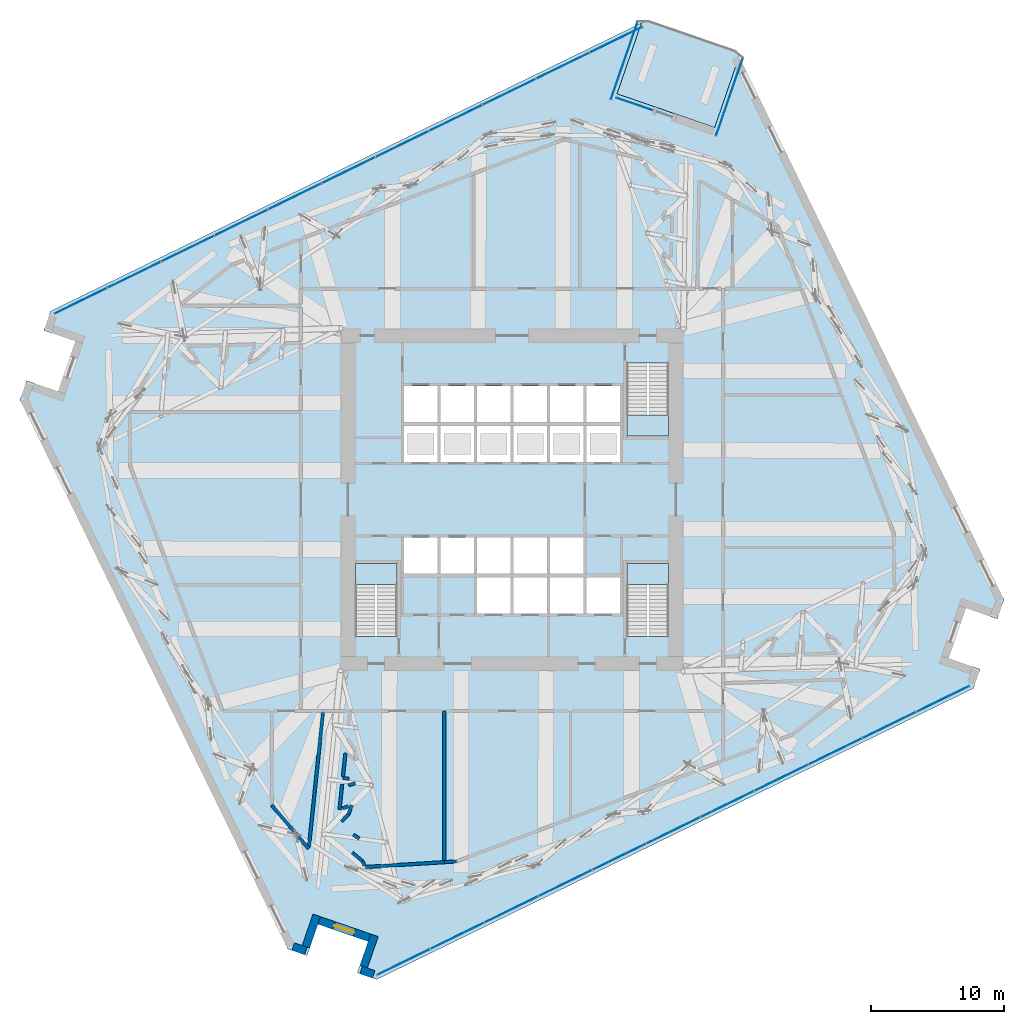
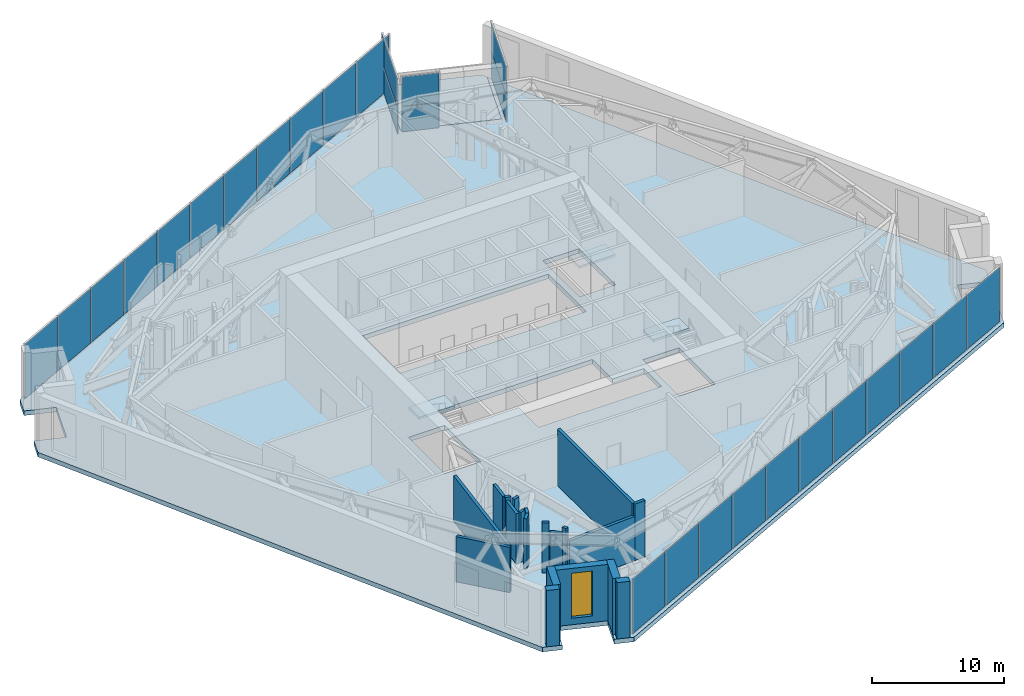
# One storey, part 9 of 21: 28 plates, 20 walls, 5 slabs, 1 window, 1 opening, 8 elements without a shape of their own.
"""IFC4 building model written with IfcOpenShell, lengths in metres."""

from ifc_helpers import new_model, si_unit, direction, frame, frame_2d, origin, origin_2d, place, context, subcontext, project, spatial, polyline, rectangle, outline, extrude, material, layer, layer_set, type_object, element, fill, aggregate, save


model = new_model("IFC4")

# Units and contexts
model_context = context("Model", 3, precision=1e-05, world=origin(), true_north=direction((0.0, 1.0)))
body_context = subcontext(model_context, "Body", "Model", "MODEL_VIEW")
ifc_project = project(units=[si_unit("LENGTHUNIT", "METRE"), si_unit("AREAUNIT", "SQUARE_METRE"), si_unit("VOLUMEUNIT", "CUBIC_METRE"), si_unit("PLANEANGLEUNIT", "RADIAN"), si_unit("MASSUNIT", "GRAM", prefix="KILO")], contexts=[model_context])

# Site, building, storey
site_placement = place(None, origin())
site = spatial("IfcSite", under=ifc_project, at=site_placement, CompositionType="ELEMENT")
building_placement = place(site_placement, origin())
building = spatial("IfcBuilding", under=site, at=building_placement, Name="Dilmun Exchange Tower", CompositionType="ELEMENT")
storey_placement = place(building_placement, frame((0.0, 0.0, 130.10009765625)))
storey = spatial("IfcBuildingStorey", under=building, at=storey_placement, Name="L30", CompositionType="ELEMENT", Elevation=130.10009765625)

# Stair, slab
ifc_material_1 = material(Name="Concrete C40/50", Category="concrete")
stair_type = type_object("IfcStairType", Name="Exit stair 1500 half-turn", PredefinedType="HALF_TURN_STAIR", material=ifc_material_1)
stair_1_placement = place(storey_placement, origin())
stair_1 = element("IfcStair", 1, at=stair_1_placement, inside=storey, type_object=stair_type, Name="L30 Protected exit stair ST1", PredefinedType="HALF_TURN_STAIR")
ifc_layer_1 = layer(ifc_material_1, 0.199951171875)
ifc_layer_set_1 = layer_set([ifc_layer_1], Name="Concrete C40/50")
slab_type_1 = type_object("IfcSlabType", Name="Exit stair landing 200", PredefinedType="LANDING", material=ifc_layer_set_1)
slab_1_placement = place(storey_placement, frame((0.0, 0.0, 2.599853515625)))
slab_1 = element("IfcSlab", 2, at=slab_1_placement, type_object=slab_type_1, Name="ST1 landing 1", PredefinedType="LANDING", context=body_context, shape_type="SweptSolid", body=[
    extrude(outline(polyline([(8.64990234375, 6.3798828125), (8.64990234375, 4.800048828125), (11.800048828125, 4.800048828125), (11.800048828125, 6.3798828125), (8.64990234375, 6.3798828125)])), origin(), (0.0, 0.0, 1.0), 0.199951171875),
])
aggregate(stair_1, [slab_1])

stair_2_placement = place(storey_placement, origin())
stair_2 = element("IfcStair", 3, at=stair_2_placement, inside=storey, type_object=stair_type, Name="L30 Protected exit stair ST2", PredefinedType="HALF_TURN_STAIR")
slab_2_placement = place(storey_placement, frame((0.0, 0.0, 2.599853515625)))
slab_2 = element("IfcSlab", 4, at=slab_2_placement, type_object=slab_type_1, Name="ST2 landing 1", PredefinedType="LANDING", context=body_context, shape_type="SweptSolid", body=[
    extrude(outline(polyline([(-8.64990234375, -6.3798828125), (-8.64990234375, -4.800048828125), (-11.800048828125, -4.800048828125), (-11.800048828125, -6.3798828125), (-8.64990234375, -6.3798828125)])), origin(), (0.0, 0.0, 1.0), 0.199951171875),
])
aggregate(stair_2, [slab_2])

stair_3_placement = place(storey_placement, origin())
stair_3 = element("IfcStair", 5, at=stair_3_placement, inside=storey, type_object=stair_type, Name="L30 Protected exit stair ST3", PredefinedType="HALF_TURN_STAIR")
slab_3_placement = place(storey_placement, frame((0.0, 0.0, 2.599853515625)))
slab_3 = element("IfcSlab", 6, at=slab_3_placement, type_object=slab_type_1, Name="ST3 landing 1", PredefinedType="LANDING", context=body_context, shape_type="SweptSolid", body=[
    extrude(outline(polyline([(11.800048828125, -6.3798828125), (11.800048828125, -4.800048828125), (8.64990234375, -4.800048828125), (8.64990234375, -6.3798828125), (11.800048828125, -6.3798828125)])), origin(), (0.0, 0.0, 1.0), 0.199951171875),
])
aggregate(stair_3, [slab_3])

# Curtain wall, plates
ifc_material_2 = material(Name="Anodised aluminium and clear glass", Category="aluminium")
curtain_wall_type_1 = type_object("IfcCurtainWallType", Name="Garden corner glazing", PredefinedType="NOTDEFINED", material=ifc_material_2)
curtain_wall_1_placement = place(storey_placement, origin())
curtain_wall_1 = element("IfcCurtainWall", 7, at=curtain_wall_1_placement, inside=storey, type_object=curtain_wall_type_1, Name="Garden corner glazing run GC1.1", PredefinedType="NOTDEFINED")
ifc_material_3 = material(Name="Clear glass", Category="glass")
ifc_layer_2 = layer(ifc_material_3, 0.028076171875)
ifc_layer_set_2 = layer_set([ifc_layer_2], Name="Clear glass")
plate_type_1 = type_object("IfcPlateType", Name="Garden corner glazing glass panel 28", PredefinedType="CURTAIN_PANEL", material=ifc_layer_set_2)
plate_1_placement = place(storey_placement, frame((16.3671875, 30.3232421875, 0.059814453125), z_axis=(0.0, 0.0, 1.0), x_axis=(-0.325563386031, -0.945520217486, 0.0)))
plate_1 = element("IfcPlate", 8, at=plate_1_placement, type_object=plate_type_1, Name="GC1.1 panel 1.1", PredefinedType="CURTAIN_PANEL", context=body_context, shape_type="SweptSolid", body=[
    extrude(rectangle(XDim=6.12646484375, YDim=0.028076171875, at=origin_2d()), origin(), (0.0, 0.0, 1.0), 2.31005859375),
])
plate_2_placement = place(storey_placement, frame((16.3671875, 30.3232421875, 2.429931640625), z_axis=(0.0, 0.0, 1.0), x_axis=(-0.325563386031, -0.945520217486, 0.0)))
plate_2 = element("IfcPlate", 9, at=plate_2_placement, type_object=plate_type_1, Name="GC1.1 panel 1.2", PredefinedType="CURTAIN_PANEL", context=body_context, shape_type="SweptSolid", body=[
    extrude(rectangle(XDim=6.12646484375, YDim=0.028076171875, at=origin_2d()), origin(), (0.0, 0.0, 1.0), 2.7099609375),
])
aggregate(curtain_wall_1, [plate_1, plate_2])

curtain_wall_2_placement = place(storey_placement, origin())
curtain_wall_2 = element("IfcCurtainWall", 10, at=curtain_wall_2_placement, inside=storey, type_object=curtain_wall_type_1, Name="Garden corner glazing run GC2.3", PredefinedType="NOTDEFINED")
plate_3_placement = place(storey_placement, frame((9.22314453125, 29.79736328125, 0.059814453125), z_axis=(0.0, 0.0, 1.0), x_axis=(-0.94551226248, 0.32558648851, 0.0)))
plate_3 = element("IfcPlate", 11, at=plate_3_placement, type_object=plate_type_1, Name="GC2.3 panel 1.1", PredefinedType="CURTAIN_PANEL", context=body_context, shape_type="SweptSolid", body=[
    extrude(rectangle(XDim=2.869140625, YDim=0.028076171875, at=origin_2d()), origin(), (0.0, 0.0, 1.0), 2.31005859375),
])
plate_4_placement = place(storey_placement, frame((9.22314453125, 29.79736328125, 2.429931640625), z_axis=(0.0, 0.0, 1.0), x_axis=(-0.94551226248, 0.32558648851, 0.0)))
plate_4 = element("IfcPlate", 12, at=plate_4_placement, type_object=plate_type_1, Name="GC2.3 panel 1.2", PredefinedType="CURTAIN_PANEL", context=body_context, shape_type="SweptSolid", body=[
    extrude(rectangle(XDim=2.869140625, YDim=0.028076171875, at=origin_2d()), origin(), (0.0, 0.0, 1.0), 2.7099609375),
])
aggregate(curtain_wall_2, [plate_3, plate_4])

curtain_wall_3_placement = place(storey_placement, origin())
curtain_wall_3 = element("IfcCurtainWall", 13, at=curtain_wall_3_placement, inside=storey, type_object=curtain_wall_type_1, Name="Garden corner glazing run GC3.1", PredefinedType="NOTDEFINED")
plate_5_placement = place(storey_placement, frame((8.445556640625, 33.051025390625, 0.059814453125), z_axis=(0.0, 0.0, 1.0), x_axis=(0.325563386031, 0.945520217486, 0.0)))
plate_5 = element("IfcPlate", 14, at=plate_5_placement, type_object=plate_type_1, Name="GC3.1 panel 1.1", PredefinedType="CURTAIN_PANEL", context=body_context, shape_type="SweptSolid", body=[
    extrude(rectangle(XDim=6.12646484375, YDim=0.028076171875, at=origin_2d()), origin(), (0.0, 0.0, 1.0), 2.31005859375),
])
plate_6_placement = place(storey_placement, frame((8.445556640625, 33.051025390625, 2.429931640625), z_axis=(0.0, 0.0, 1.0), x_axis=(0.325563386031, 0.945520217486, 0.0)))
plate_6 = element("IfcPlate", 15, at=plate_6_placement, type_object=plate_type_1, Name="GC3.1 panel 1.2", PredefinedType="CURTAIN_PANEL", context=body_context, shape_type="SweptSolid", body=[
    extrude(rectangle(XDim=6.12646484375, YDim=0.028076171875, at=origin_2d()), origin(), (0.0, 0.0, 1.0), 2.7099609375),
])
aggregate(curtain_wall_3, [plate_5, plate_6])

# Slabs
ifc_layer_3 = layer(ifc_material_1, 0.419921875)
ifc_layer_set_3 = layer_set([ifc_layer_3], Name="Concrete C40/50")
slab_type_2 = type_object("IfcSlabType", Name="RC floor slab 420", PredefinedType="FLOOR", material=ifc_layer_set_3)
slab_4_placement = place(storey_placement, frame((0.0, 0.0, -0.420166015625)))
element("IfcSlab", 16, at=slab_4_placement, inside=storey, type_object=slab_type_2, Name="Floor slab", PredefinedType="FLOOR", context=body_context, shape_type="SweptSolid", body=[
    extrude(outline(polyline([(36.54638671875, -8.972900390625), (34.1826171875, -8.1591796875), (32.88037109375, -11.941162109375), (35.244140625, -12.755126953125), (34.744140625, -14.20703125), (-10.195556640625, -36.12548828125), (-11.647216796875, -35.62548828125), (-10.83349609375, -33.26171875), (-14.615478515625, -31.95947265625), (-15.429443359375, -34.3232421875), (-16.88134765625, -33.823486328125), (-37.04638671875, 7.52099609375), (-36.54638671875, 8.972900390625), (-34.1826171875, 8.1591796875), (-32.88037109375, 11.941162109375), (-35.244140625, 12.755126953125), (-34.744140625, 14.20703125), (9.74609375, 35.90625), (7.90771484375, 30.5673828125), (15.26220703125, 28.03515625), (17.1005859375, 33.3740234375), (37.04638671875, -7.52099609375), (36.54638671875, -8.972900390625)]), holes=[polyline([(-8.64990234375, -4.800048828125), (-11.800048828125, -4.800048828125), (-11.800048828125, -10.294921875), (-8.64990234375, -10.294921875), (-8.64990234375, -4.800048828125)]), polyline([(11.800048828125, -4.800048828125), (8.64990234375, -4.800048828125), (8.64990234375, -10.294921875), (11.800048828125, -10.294921875), (11.800048828125, -4.800048828125)]), polyline([(-8.125, -2.85009765625), (-8.125, -5.550048828125), (-2.625, -5.550048828125), (-2.625, -8.550048828125), (8.125, -8.550048828125), (8.125, -5.85009765625), (5.375, -5.85009765625), (5.375, -2.85009765625), (-8.125, -2.85009765625)]), polyline([(8.125, 8.550048828125), (-8.125, 8.550048828125), (-8.125, 2.85009765625), (8.125, 2.85009765625), (8.125, 8.550048828125)]), polyline([(8.64990234375, 10.294921875), (8.64990234375, 4.800048828125), (11.800048828125, 4.800048828125), (11.800048828125, 10.294921875), (8.64990234375, 10.294921875)])]), origin(), (0.0, 0.0, 1.0), 0.420166015625),
])
ifc_layer_4 = layer(ifc_material_1, 0.300048828125)
ifc_layer_set_4 = layer_set([ifc_layer_4], Name="Concrete C40/50")
slab_type_3 = type_object("IfcSlabType", Name="RC garden terrace slab 300", PredefinedType="FLOOR", material=ifc_layer_set_4)
slab_5_placement = place(storey_placement, frame((0.0, 0.0, -0.300048828125)))
element("IfcSlab", 17, at=slab_5_placement, inside=storey, type_object=slab_type_3, Name="Garden terrace slab", PredefinedType="FLOOR", context=body_context, shape_type="SweptSolid", body=[
    extrude(outline(polyline([(7.90771484375, 30.5673828125), (9.74609375, 35.90625), (10.195556640625, 36.12548828125), (16.88134765625, 33.823486328125), (17.1005859375, 33.3740234375), (15.26220703125, 28.03515625), (7.90771484375, 30.5673828125)])), origin(), (0.0, 0.0, 1.0), 0.300048828125),
])

# Curtain wall, plates
curtain_wall_type_2 = type_object("IfcCurtainWallType", Name="Sky lobby glazing", PredefinedType="NOTDEFINED", material=ifc_material_2)
curtain_wall_4_placement = place(storey_placement, origin())
curtain_wall_4 = element("IfcCurtainWall", 18, at=curtain_wall_4_placement, inside=storey, type_object=curtain_wall_type_2, Name="Sky lobby glazing run SL4", PredefinedType="NOTDEFINED")
ifc_layer_5 = layer(ifc_material_3, 0.031982421875)
ifc_layer_set_5 = layer_set([ifc_layer_5], Name="Clear glass")
plate_type_2 = type_object("IfcPlateType", Name="Sky lobby glazing glass panel 32", PredefinedType="CURTAIN_PANEL", material=ifc_layer_set_5)
plate_7_placement = place(storey_placement, frame((7.8447265625, 34.645263671875, 0.06982421875), z_axis=(0.0, 0.0, 1.0), x_axis=(-0.898793962153, -0.438371319314, 0.0)))
plate_7 = element("IfcPlate", 19, at=plate_7_placement, type_object=plate_type_2, Name="SL4 panel 1.1", PredefinedType="CURTAIN_PANEL", context=body_context, shape_type="SweptSolid", body=[
    extrude(rectangle(XDim=4.3837890625, YDim=0.031982421875, at=origin_2d()), origin(), (0.0, 0.0, 1.0), 5.06005859375),
])
plate_8_placement = place(storey_placement, frame((3.825927734375, 32.68505859375, 0.06982421875), z_axis=(0.0, 0.0, 1.0), x_axis=(-0.898793962153, -0.438371319314, 0.0)))
plate_8 = element("IfcPlate", 20, at=plate_8_placement, type_object=plate_type_2, Name="SL4 panel 2.1", PredefinedType="CURTAIN_PANEL", context=body_context, shape_type="SweptSolid", body=[
    extrude(rectangle(XDim=4.418701171875, YDim=0.031982421875, at=origin_2d()), origin(), (0.0, 0.0, 1.0), 5.06005859375),
])
plate_9_placement = place(storey_placement, frame((-0.20849609375, 30.71728515625, 0.06982421875), z_axis=(0.0, 0.0, 1.0), x_axis=(-0.898793962153, -0.438371319314, 0.0)))
plate_9 = element("IfcPlate", 21, at=plate_9_placement, type_object=plate_type_2, Name="SL4 panel 3.1", PredefinedType="CURTAIN_PANEL", context=body_context, shape_type="SweptSolid", body=[
    extrude(rectangle(XDim=4.418701171875, YDim=0.031982421875, at=origin_2d()), origin(), (0.0, 0.0, 1.0), 5.06005859375),
])
plate_10_placement = place(storey_placement, frame((-4.242919921875, 28.749755859375, 0.06982421875), z_axis=(0.0, 0.0, 1.0), x_axis=(-0.898793962153, -0.438371319314, 0.0)))
plate_10 = element("IfcPlate", 22, at=plate_10_placement, type_object=plate_type_2, Name="SL4 panel 4.1", PredefinedType="CURTAIN_PANEL", context=body_context, shape_type="SweptSolid", body=[
    extrude(rectangle(XDim=4.418701171875, YDim=0.031982421875, at=origin_2d()), origin(), (0.0, 0.0, 1.0), 5.06005859375),
])
plate_11_placement = place(storey_placement, frame((-8.27734375, 26.781982421875, 0.06982421875), z_axis=(0.0, 0.0, 1.0), x_axis=(-0.898793962153, -0.438371319314, 0.0)))
plate_11 = element("IfcPlate", 23, at=plate_11_placement, type_object=plate_type_2, Name="SL4 panel 5.1", PredefinedType="CURTAIN_PANEL", context=body_context, shape_type="SweptSolid", body=[
    extrude(rectangle(XDim=4.418701171875, YDim=0.031982421875, at=origin_2d()), origin(), (0.0, 0.0, 1.0), 5.06005859375),
])
plate_12_placement = place(storey_placement, frame((-12.311767578125, 24.814208984375, 0.06982421875), z_axis=(0.0, 0.0, 1.0), x_axis=(-0.898793962153, -0.438371319314, 0.0)))
plate_12 = element("IfcPlate", 24, at=plate_12_placement, type_object=plate_type_2, Name="SL4 panel 6.1", PredefinedType="CURTAIN_PANEL", context=body_context, shape_type="SweptSolid", body=[
    extrude(rectangle(XDim=4.418701171875, YDim=0.031982421875, at=origin_2d()), origin(), (0.0, 0.0, 1.0), 5.06005859375),
])
plate_13_placement = place(storey_placement, frame((-16.34619140625, 22.846435546875, 0.06982421875), z_axis=(0.0, 0.0, 1.0), x_axis=(-0.898793962153, -0.438371319314, 0.0)))
plate_13 = element("IfcPlate", 25, at=plate_13_placement, type_object=plate_type_2, Name="SL4 panel 7.1", PredefinedType="CURTAIN_PANEL", context=body_context, shape_type="SweptSolid", body=[
    extrude(rectangle(XDim=4.418701171875, YDim=0.031982421875, at=origin_2d()), origin(), (0.0, 0.0, 1.0), 5.06005859375),
])
plate_14_placement = place(storey_placement, frame((-20.380615234375, 20.87890625, 0.06982421875), z_axis=(0.0, 0.0, 1.0), x_axis=(-0.898793962153, -0.438371319314, 0.0)))
plate_14 = element("IfcPlate", 26, at=plate_14_placement, type_object=plate_type_2, Name="SL4 panel 8.1", PredefinedType="CURTAIN_PANEL", context=body_context, shape_type="SweptSolid", body=[
    extrude(rectangle(XDim=4.418701171875, YDim=0.031982421875, at=origin_2d()), origin(), (0.0, 0.0, 1.0), 5.06005859375),
])
plate_15_placement = place(storey_placement, frame((-24.4150390625, 18.9111328125, 0.06982421875), z_axis=(0.0, 0.0, 1.0), x_axis=(-0.898793962153, -0.438371319314, 0.0)))
plate_15 = element("IfcPlate", 27, at=plate_15_placement, type_object=plate_type_2, Name="SL4 panel 9.1", PredefinedType="CURTAIN_PANEL", context=body_context, shape_type="SweptSolid", body=[
    extrude(rectangle(XDim=4.418701171875, YDim=0.031982421875, at=origin_2d()), origin(), (0.0, 0.0, 1.0), 5.06005859375),
])
plate_16_placement = place(storey_placement, frame((-28.449462890625, 16.943359375, 0.06982421875), z_axis=(0.0, 0.0, 1.0), x_axis=(-0.898793962153, -0.438371319314, 0.0)))
plate_16 = element("IfcPlate", 28, at=plate_16_placement, type_object=plate_type_2, Name="SL4 panel 10.1", PredefinedType="CURTAIN_PANEL", context=body_context, shape_type="SweptSolid", body=[
    extrude(rectangle(XDim=4.418701171875, YDim=0.031982421875, at=origin_2d()), origin(), (0.0, 0.0, 1.0), 5.06005859375),
])
plate_17_placement = place(storey_placement, frame((-32.468017578125, 14.9833984375, 0.06982421875), z_axis=(0.0, 0.0, 1.0), x_axis=(-0.898793962153, -0.438371319314, 0.0)))
plate_17 = element("IfcPlate", 29, at=plate_17_placement, type_object=plate_type_2, Name="SL4 panel 11.1", PredefinedType="CURTAIN_PANEL", context=body_context, shape_type="SweptSolid", body=[
    extrude(rectangle(XDim=4.3837890625, YDim=0.031982421875, at=origin_2d()), origin(), (0.0, 0.0, 1.0), 5.06005859375),
])
aggregate(curtain_wall_4, [plate_7, plate_8, plate_9, plate_10, plate_11, plate_12, plate_13, plate_14, plate_15, plate_16, plate_17])

curtain_wall_5_placement = place(storey_placement, origin())
curtain_wall_5 = element("IfcCurtainWall", 30, at=curtain_wall_5_placement, inside=storey, type_object=curtain_wall_type_2, Name="Sky lobby glazing run SL16", PredefinedType="NOTDEFINED")
plate_18_placement = place(storey_placement, frame((-8.1669921875, -34.802490234375, 0.06982421875), z_axis=(0.0, 0.0, 1.0), x_axis=(0.898794020561, 0.43837119956, 0.0)))
plate_18 = element("IfcPlate", 31, at=plate_18_placement, type_object=plate_type_2, Name="SL16 panel 1.1", PredefinedType="CURTAIN_PANEL", context=body_context, shape_type="SweptSolid", body=[
    extrude(rectangle(XDim=4.41796875, YDim=0.031982421875, at=origin_2d()), origin(), (0.0, 0.0, 1.0), 5.06005859375),
])
plate_19_placement = place(storey_placement, frame((-4.11767578125, -32.827392578125, 0.06982421875), z_axis=(0.0, 0.0, 1.0), x_axis=(0.898794020561, 0.43837119956, 0.0)))
plate_19 = element("IfcPlate", 32, at=plate_19_placement, type_object=plate_type_2, Name="SL16 panel 2.1", PredefinedType="CURTAIN_PANEL", context=body_context, shape_type="SweptSolid", body=[
    extrude(rectangle(XDim=4.452880859375, YDim=0.031982421875, at=origin_2d()), origin(), (0.0, 0.0, 1.0), 5.06005859375),
])
plate_20_placement = place(storey_placement, frame((-0.052490234375, -30.8447265625, 0.06982421875), z_axis=(0.0, 0.0, 1.0), x_axis=(0.898794020561, 0.43837119956, 0.0)))
plate_20 = element("IfcPlate", 33, at=plate_20_placement, type_object=plate_type_2, Name="SL16 panel 3.1", PredefinedType="CURTAIN_PANEL", context=body_context, shape_type="SweptSolid", body=[
    extrude(rectangle(XDim=4.452880859375, YDim=0.031982421875, at=origin_2d()), origin(), (0.0, 0.0, 1.0), 5.06005859375),
])
plate_21_placement = place(storey_placement, frame((4.0126953125, -28.862060546875, 0.06982421875), z_axis=(0.0, 0.0, 1.0), x_axis=(0.898794020561, 0.43837119956, 0.0)))
plate_21 = element("IfcPlate", 34, at=plate_21_placement, type_object=plate_type_2, Name="SL16 panel 4.1", PredefinedType="CURTAIN_PANEL", context=body_context, shape_type="SweptSolid", body=[
    extrude(rectangle(XDim=4.452880859375, YDim=0.031982421875, at=origin_2d()), origin(), (0.0, 0.0, 1.0), 5.06005859375),
])
plate_22_placement = place(storey_placement, frame((8.07763671875, -26.87939453125, 0.06982421875), z_axis=(0.0, 0.0, 1.0), x_axis=(0.898794020561, 0.43837119956, 0.0)))
plate_22 = element("IfcPlate", 35, at=plate_22_placement, type_object=plate_type_2, Name="SL16 panel 5.1", PredefinedType="CURTAIN_PANEL", context=body_context, shape_type="SweptSolid", body=[
    extrude(rectangle(XDim=4.452880859375, YDim=0.031982421875, at=origin_2d()), origin(), (0.0, 0.0, 1.0), 5.06005859375),
])
plate_23_placement = place(storey_placement, frame((12.142822265625, -24.896484375, 0.06982421875), z_axis=(0.0, 0.0, 1.0), x_axis=(0.898794020561, 0.43837119956, 0.0)))
plate_23 = element("IfcPlate", 36, at=plate_23_placement, type_object=plate_type_2, Name="SL16 panel 6.1", PredefinedType="CURTAIN_PANEL", context=body_context, shape_type="SweptSolid", body=[
    extrude(rectangle(XDim=4.452880859375, YDim=0.031982421875, at=origin_2d()), origin(), (0.0, 0.0, 1.0), 5.06005859375),
])
plate_24_placement = place(storey_placement, frame((16.2080078125, -22.913818359375, 0.06982421875), z_axis=(0.0, 0.0, 1.0), x_axis=(0.898794020561, 0.43837119956, 0.0)))
plate_24 = element("IfcPlate", 37, at=plate_24_placement, type_object=plate_type_2, Name="SL16 panel 7.1", PredefinedType="CURTAIN_PANEL", context=body_context, shape_type="SweptSolid", body=[
    extrude(rectangle(XDim=4.452880859375, YDim=0.031982421875, at=origin_2d()), origin(), (0.0, 0.0, 1.0), 5.06005859375),
])
plate_25_placement = place(storey_placement, frame((20.273193359375, -20.93115234375, 0.06982421875), z_axis=(0.0, 0.0, 1.0), x_axis=(0.898794020561, 0.43837119956, 0.0)))
plate_25 = element("IfcPlate", 38, at=plate_25_placement, type_object=plate_type_2, Name="SL16 panel 8.1", PredefinedType="CURTAIN_PANEL", context=body_context, shape_type="SweptSolid", body=[
    extrude(rectangle(XDim=4.452880859375, YDim=0.031982421875, at=origin_2d()), origin(), (0.0, 0.0, 1.0), 5.06005859375),
])
plate_26_placement = place(storey_placement, frame((24.338134765625, -18.948486328125, 0.06982421875), z_axis=(0.0, 0.0, 1.0), x_axis=(0.898794020561, 0.43837119956, 0.0)))
plate_26 = element("IfcPlate", 39, at=plate_26_placement, type_object=plate_type_2, Name="SL16 panel 9.1", PredefinedType="CURTAIN_PANEL", context=body_context, shape_type="SweptSolid", body=[
    extrude(rectangle(XDim=4.452880859375, YDim=0.031982421875, at=origin_2d()), origin(), (0.0, 0.0, 1.0), 5.06005859375),
])
plate_27_placement = place(storey_placement, frame((28.4033203125, -16.9658203125, 0.06982421875), z_axis=(0.0, 0.0, 1.0), x_axis=(0.898794020561, 0.43837119956, 0.0)))
plate_27 = element("IfcPlate", 40, at=plate_27_placement, type_object=plate_type_2, Name="SL16 panel 10.1", PredefinedType="CURTAIN_PANEL", context=body_context, shape_type="SweptSolid", body=[
    extrude(rectangle(XDim=4.452880859375, YDim=0.031982421875, at=origin_2d()), origin(), (0.0, 0.0, 1.0), 5.06005859375),
])
plate_28_placement = place(storey_placement, frame((32.45263671875, -14.99072265625, 0.06982421875), z_axis=(0.0, 0.0, 1.0), x_axis=(0.898794020561, 0.43837119956, 0.0)))
plate_28 = element("IfcPlate", 41, at=plate_28_placement, type_object=plate_type_2, Name="SL16 panel 11.1", PredefinedType="CURTAIN_PANEL", context=body_context, shape_type="SweptSolid", body=[
    extrude(rectangle(XDim=4.41796875, YDim=0.031982421875, at=origin_2d()), origin(), (0.0, 0.0, 1.0), 5.06005859375),
])
aggregate(curtain_wall_5, [plate_18, plate_19, plate_20, plate_21, plate_22, plate_23, plate_24, plate_25, plate_26, plate_27, plate_28])

# Walls
ifc_material_4 = material(Name="Concrete C32/40", Category="concrete")
ifc_layer_6 = layer(ifc_material_4, 0.25)
ifc_layer_set_6 = layer_set([ifc_layer_6], Name="Concrete C32/40")
wall_type_1 = type_object("IfcWallType", Name="Plant room wall 250", PredefinedType="PARTITIONING", material=ifc_layer_set_6)
wall_1_placement = place(storey_placement, frame((-11.256103515625, -27.2265625, 0.0), z_axis=(0.0, 0.0, 1.0), x_axis=(0.421071590278, -0.907027406345, 0.0)))
element("IfcWall", 42, at=wall_1_placement, inside=storey, type_object=wall_type_1, Name="L30 plant room wall 01", PredefinedType="PARTITIONING", context=body_context, shape_type="SweptSolid", body=[
    extrude(rectangle(XDim=0.361328125, YDim=0.25, at=frame_2d((0.1806640625, 0.0))), origin(), (0.0, 0.0, 1.0), 5.199951171875),
])
wall_2_placement = place(storey_placement, frame((-11.0439453125, -27.653076171875, 0.0), z_axis=(0.0, 0.0, 1.0), x_axis=(0.998117433937, 0.061331786789, 0.0)))
element("IfcWall", 43, at=wall_2_placement, inside=storey, type_object=wall_type_1, Name="L30 plant room wall 02", PredefinedType="PARTITIONING", context=body_context, shape_type="SweptSolid", body=[
    extrude(rectangle(XDim=5.955078125, YDim=0.25, at=frame_2d((2.9775390625, 0.0))), origin(), (0.0, 0.0, 1.0), 4.079833984375),
])
wall_3_placement = place(storey_placement, frame((-5.10009765625, -27.206298828125, 0.0), z_axis=(0.0, 0.0, 1.0), x_axis=(0.0, 1.0, 0.0)))
element("IfcWall", 44, at=wall_3_placement, inside=storey, type_object=wall_type_1, Name="L30 plant room wall 03", PredefinedType="PARTITIONING", context=body_context, shape_type="SweptSolid", body=[
    extrude(rectangle(XDim=11.306396484375, YDim=0.25, at=frame_2d((5.6533203125, 0.0))), origin(), (0.0, 0.0, 1.0), 5.199951171875),
])
wall_4_placement = place(storey_placement, frame((-5.094970703125, -27.28759765625, 0.0), z_axis=(0.0, 0.0, 1.0), x_axis=(0.998109630222, 0.061458653235, 0.0)))
element("IfcWall", 45, at=wall_4_placement, inside=storey, type_object=wall_type_1, Name="L30 plant room wall 04", PredefinedType="PARTITIONING", context=body_context, shape_type="SweptSolid", body=[
    extrude(rectangle(XDim=0.925537109375, YDim=0.25, at=frame_2d((0.462890625, 0.0))), origin(), (0.0, 0.0, 1.0), 5.199951171875),
])
wall_5_placement = place(storey_placement, frame((-12.018310546875, -26.5771484375, 0.0), z_axis=(0.0, 0.0, 1.0), x_axis=(0.765230012411, -0.64375696354, 0.0)))
element("IfcWall", 46, at=wall_5_placement, inside=storey, type_object=wall_type_1, Name="L30 plant room wall 05", PredefinedType="PARTITIONING", context=body_context, shape_type="SweptSolid", body=[
    extrude(rectangle(XDim=0.97265625, YDim=0.25, at=frame_2d((0.486328125, 0.0))), origin(), (0.0, 0.0, 1.0), 4.6298828125),
])
wall_6_placement = place(storey_placement, frame((-18.10009765625, -22.9921875, 0.0), z_axis=(0.0, 0.0, 1.0), x_axis=(0.648982326042, -0.760803483487, 0.0)))
element("IfcWall", 47, at=wall_6_placement, inside=storey, type_object=wall_type_1, Name="L30 plant room wall 06", PredefinedType="PARTITIONING", context=body_context, shape_type="SweptSolid", body=[
    extrude(rectangle(XDim=4.305419921875, YDim=0.25, at=frame_2d((2.15283203125, 0.0))), origin(), (0.0, 0.0, 1.0), 4.171875),
])
wall_7_placement = place(storey_placement, frame((-11.948974609375, -25.221435546875, 0.0), z_axis=(0.0, 0.0, 1.0), x_axis=(0.841863446838, -0.539690593653, 0.0)))
element("IfcWall", 48, at=wall_7_placement, inside=storey, type_object=wall_type_1, Name="L30 plant room wall 07", PredefinedType="PARTITIONING", context=body_context, shape_type="SweptSolid", body=[
    extrude(rectangle(XDim=0.543701171875, YDim=0.25, at=frame_2d((0.27197265625, 0.0))), origin(), (0.0, 0.0, 1.0), 4.6298828125),
])
wall_8_placement = place(storey_placement, frame((-12.830078125, -24.210693359375, 0.0), z_axis=(0.0, 0.0, 1.0), x_axis=(0.69793014106, 0.716165845458, 0.0)))
element("IfcWall", 49, at=wall_8_placement, inside=storey, type_object=wall_type_1, Name="L30 plant room wall 08", PredefinedType="PARTITIONING", context=body_context, shape_type="SweptSolid", body=[
    extrude(rectangle(XDim=0.736328125, YDim=0.25, at=frame_2d((0.3681640625, 0.0))), origin(), (0.0, 0.0, 1.0), 4.6298828125),
])
wall_9_placement = place(storey_placement, frame((-12.30078125, -23.658447265625, 0.0), z_axis=(0.0, 0.0, 1.0), x_axis=(0.329668057507, 0.944096908087, 0.0)))
element("IfcWall", 50, at=wall_9_placement, inside=storey, type_object=wall_type_1, Name="L30 plant room wall 11", PredefinedType="PARTITIONING", context=body_context, shape_type="SweptSolid", body=[
    extrude(rectangle(XDim=0.701416015625, YDim=0.25, at=frame_2d((0.3505859375, 0.0))), origin(), (0.0, 0.0, 1.0), 4.6298828125),
])
wall_10_placement = place(storey_placement, frame((-12.987548828125, -23.3330078125, 0.0), z_axis=(0.0, 0.0, 1.0), x_axis=(0.104284639767, 0.994547492033, 0.0)))
element("IfcWall", 51, at=wall_10_placement, inside=storey, type_object=wall_type_1, Name="L30 plant room wall 12", PredefinedType="PARTITIONING", context=body_context, shape_type="SweptSolid", body=[
    extrude(rectangle(XDim=1.90576171875, YDim=0.25, at=frame_2d((0.952880859375, 0.0))), origin(), (0.0, 0.0, 1.0), 4.6298828125),
])
wall_11_placement = place(storey_placement, frame((-12.733642578125, -23.23681640625, 0.0), z_axis=(0.0, 0.0, 1.0), x_axis=(0.935089458397, 0.354411772936, 0.0)))
element("IfcWall", 52, at=wall_11_placement, inside=storey, type_object=wall_type_1, Name="L30 plant room wall 14", PredefinedType="PARTITIONING", context=body_context, shape_type="SweptSolid", body=[
    extrude(rectangle(XDim=0.455322265625, YDim=0.25, at=frame_2d((0.2275390625, 0.0))), origin(), (0.0, 0.0, 1.0), 4.6298828125),
])
wall_12_placement = place(storey_placement, frame((-12.314453125, -21.495361328125, 0.0), z_axis=(0.0, 0.0, 1.0), x_axis=(0.954567777317, 0.297993890051, 0.0)))
element("IfcWall", 53, at=wall_12_placement, inside=storey, type_object=wall_type_1, Name="L30 plant room wall 15", PredefinedType="PARTITIONING", context=body_context, shape_type="SweptSolid", body=[
    extrude(rectangle(XDim=0.5439453125, YDim=0.25, at=frame_2d((0.27197265625, 0.0))), origin(), (0.0, 0.0, 1.0), 4.6298828125),
])
wall_13_placement = place(storey_placement, frame((-12.738525390625, -20.956298828125, 0.0), z_axis=(0.0, 0.0, 1.0), x_axis=(0.991015080873, -0.133750175633, 0.0)))
element("IfcWall", 54, at=wall_13_placement, inside=storey, type_object=wall_type_1, Name="L30 plant room wall 16", PredefinedType="PARTITIONING", context=body_context, shape_type="SweptSolid", body=[
    extrude(rectangle(XDim=0.463623046875, YDim=0.25, at=frame_2d((0.23193359375, 0.0))), origin(), (0.0, 0.0, 1.0), 4.6298828125),
])
wall_14_placement = place(storey_placement, frame((-12.72509765625, -20.82861328125, 0.0), z_axis=(0.0, 0.0, 1.0), x_axis=(0.104106713121, 0.994566132685, 0.0)))
element("IfcWall", 55, at=wall_14_placement, inside=storey, type_object=wall_type_1, Name="L30 plant room wall 17", PredefinedType="PARTITIONING", context=body_context, shape_type="SweptSolid", body=[
    extrude(rectangle(XDim=1.7587890625, YDim=0.25, at=frame_2d((0.87939453125, 0.0))), origin(), (0.0, 0.0, 1.0), 4.6298828125),
])
wall_15_placement = place(storey_placement, frame((-15.287109375, -26.08935546875, 0.0), z_axis=(0.0, 0.0, 1.0), x_axis=(0.104179658322, 0.994558494404, 0.0)))
element("IfcWall", 56, at=wall_15_placement, inside=storey, type_object=wall_type_1, Name="L30 plant room wall 36", PredefinedType="PARTITIONING", context=body_context, shape_type="SweptSolid", body=[
    extrude(rectangle(XDim=10.1142578125, YDim=0.25, at=frame_2d((5.05712890625, 0.0))), origin(), (0.0, 0.0, 1.0), 4.171875),
])
ifc_material_5 = material(Name="Precast concrete C50/60", Category="concrete")
ifc_layer_7 = layer(ifc_material_5, 0.60009765625)
ifc_layer_set_7 = layer_set([ifc_layer_7], Name="Precast concrete C50/60")
wall_type_2 = type_object("IfcWallType", Name="Precast stone-clad wall 600", PredefinedType="STANDARD", material=ifc_layer_set_7)
wall_16_placement = place(storey_placement, frame((-16.47705078125, -33.645263671875, 0.0), z_axis=(0.0, 0.0, 1.0), x_axis=(0.94549860513, -0.325626147133, 0.0)))
element("IfcWall", 57, at=wall_16_placement, inside=storey, type_object=wall_type_2, Name="Facade wall L30-10", PredefinedType="STANDARD", context=body_context, shape_type="SweptSolid", body=[
    extrude(rectangle(XDim=1.011474609375, YDim=0.60009765625, at=frame_2d((0.505859375, 0.0))), origin(), (0.0, 0.0, 1.0), 5.199951171875),
])
wall_17_placement = place(storey_placement, frame((-15.517578125, -33.658203125, 0.0), z_axis=(0.0, 0.0, 1.0), x_axis=(0.325500057285, 0.945542020593, 0.0)))
element("IfcWall", 58, at=wall_17_placement, inside=storey, type_object=wall_type_2, Name="Facade wall L30-11", PredefinedType="STANDARD", context=body_context, shape_type="SweptSolid", body=[
    extrude(rectangle(XDim=2.5, YDim=0.60009765625, at=frame_2d((1.25, 0.0))), origin(), (0.0, 0.0, 1.0), 5.199951171875),
])

# Wall, opening, window
wall_18_placement = place(storey_placement, frame((-14.517822265625, -31.67578125, 0.0), z_axis=(0.0, 0.0, 1.0), x_axis=(0.945524651149, -0.325550509245, 0.0)))
wall_18 = element("IfcWall", 59, at=wall_18_placement, inside=storey, type_object=wall_type_2, Name="Facade wall L30-12", PredefinedType="STANDARD", context=body_context, shape_type="SweptSolid", body=[
    extrude(rectangle(XDim=4.000244140625, YDim=0.60009765625, at=frame_2d((2.0, 0.0))), origin(), (0.0, 0.0, 1.0), 5.199951171875),
])
opening_placement = place(wall_18_placement, frame((1.199951171875, 0.0, 0.60009765625)))
opening = element("IfcOpeningElement", 60, at=opening_placement, cuts=wall_18, Name="Opening LV160-415", PredefinedType="OPENING", context=body_context, shape_type="SweptSolid", body=[
    extrude(rectangle(XDim=1.60009765625, YDim=4.14990234375, at=frame_2d((0.800048828125, 2.074951171875))), frame((0.0, 0.31005859375, 0.0), z_axis=(0.0, -1.0, 0.0), x_axis=(1.0, 0.0, 0.0)), (0.0, 0.0, 1.0), 0.6201171875),
])
ifc_material_6 = material(Name="Anodised aluminium louvre blades with sand trap", Category="aluminium")
window_type = type_object("IfcWindowType", Name="Plant louvre 1600 x 4150", PartitioningType="SINGLE_PANEL", PredefinedType="USERDEFINED", material=ifc_material_6)
window_placement = place(opening_placement, origin())
window = element("IfcWindow", 61, at=window_placement, inside=storey, type_object=window_type, Name="Plant louvre 13.1", ObjectType="LOUVRE", OverallHeight=4.14990234375, OverallWidth=1.60009765625, PartitioningType="SINGLE_PANEL", PredefinedType="USERDEFINED", context=body_context, shape_type="SweptSolid", body=[
    extrude(rectangle(XDim=1.60009765625, YDim=4.14990234375, at=frame_2d((0.800048828125, 2.074951171875))), frame((0.0, 0.030029296875, 0.0), z_axis=(0.0, -1.0, 0.0), x_axis=(1.0, 0.0, 0.0)), (0.0, 0.0, 1.0), 0.06005859375),
])
fill(opening, window)

# Walls
wall_19_placement = place(storey_placement, frame((-10.3544921875, -32.792236328125, 0.0), z_axis=(0.0, 0.0, 1.0), x_axis=(-0.325500057285, -0.945542020593, 0.0)))
element("IfcWall", 62, at=wall_19_placement, inside=storey, type_object=wall_type_2, Name="Facade wall L30-13", PredefinedType="STANDARD", context=body_context, shape_type="SweptSolid", body=[
    extrude(rectangle(XDim=2.5, YDim=0.60009765625, at=frame_2d((1.25, 0.0))), origin(), (0.0, 0.0, 1.0), 5.199951171875),
])
wall_20_placement = place(storey_placement, frame((-11.360595703125, -35.406982421875, 0.0), z_axis=(0.0, 0.0, 1.0), x_axis=(0.94549860513, -0.325626147133, 0.0)))
element("IfcWall", 63, at=wall_20_placement, inside=storey, type_object=wall_type_2, Name="Facade wall L30-14", PredefinedType="STANDARD", context=body_context, shape_type="SweptSolid", body=[
    extrude(rectangle(XDim=1.011474609375, YDim=0.60009765625, at=frame_2d((0.505859375, 0.0))), origin(), (0.0, 0.0, 1.0), 5.199951171875),
])

save(model, "model.ifc")
